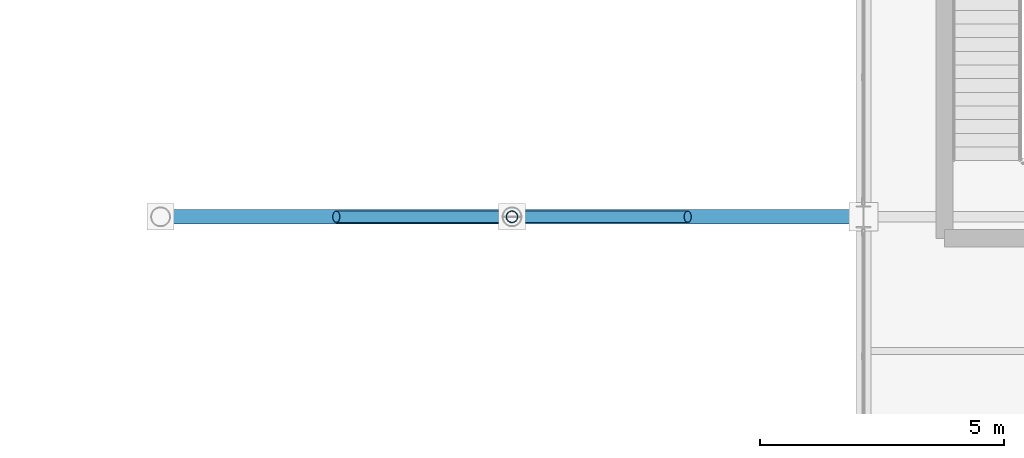
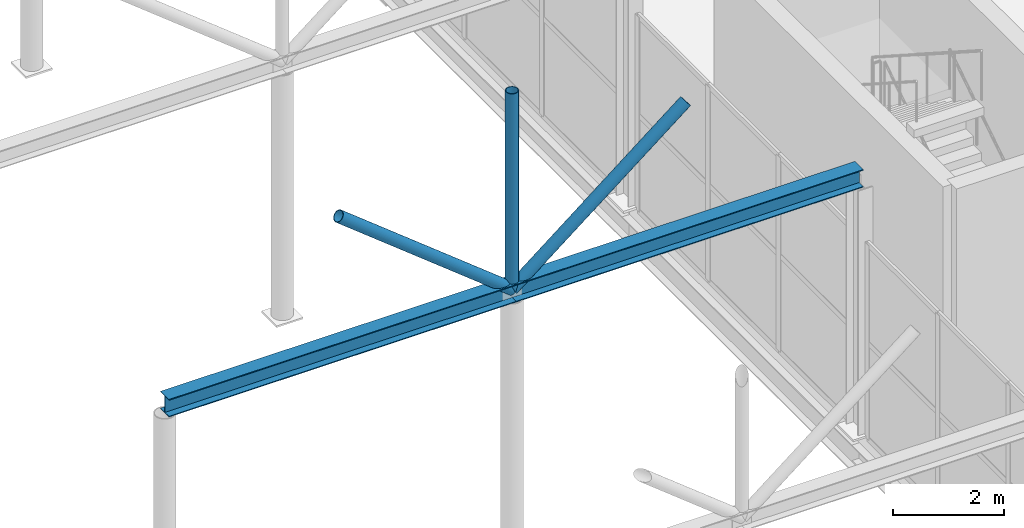
# One storey, part 25 of 147: 3 members, 2 beams.
"""IFC4 building model written with IfcOpenShell, lengths in metres."""

from ifc_helpers import new_model, si_unit, direction, frame, origin, origin_2d, place, context, subcontext, project, spatial, hollow_circle, i_section, extrude, material, material_profile, profile_set, type_object, element, save


model = new_model("IFC4")

# Units and contexts
model_context = context("Model", 3, precision=1e-05, world=origin(), true_north=direction((0.0, 1.0)))
body_context = subcontext(model_context, "Body", "Model", "MODEL_VIEW")
ifc_project = project(units=[si_unit("LENGTHUNIT", "METRE"), si_unit("AREAUNIT", "SQUARE_METRE"), si_unit("VOLUMEUNIT", "CUBIC_METRE"), si_unit("PLANEANGLEUNIT", "RADIAN"), si_unit("MASSUNIT", "GRAM", prefix="KILO")], contexts=[model_context])

# Site, building, storey
site_placement = place(None, origin())
site = spatial("IfcSite", under=ifc_project, at=site_placement, CompositionType="ELEMENT")
building_placement = place(site_placement, origin())
building = spatial("IfcBuilding", under=site, at=building_placement, Name="Sundgate Opera House", CompositionType="ELEMENT")
storey_placement = place(building_placement, frame((0.0, 0.0, 6.0)))
storey = spatial("IfcBuildingStorey", under=building, at=storey_placement, Name="L01", CompositionType="ELEMENT", Elevation=6.0)

# Beams
ifc_material_1 = material(Name="Steel S355J2", Category="steel")
ifc_material_profile_1 = material_profile(ifc_material_1, i_section(OverallWidth=0.300048828125, OverallDepth=0.389892578125, WebThickness=0.010986328125, FlangeThickness=0.01904296875, at=origin_2d()), Name="HEA 400")
ifc_profile_set_1 = profile_set([ifc_material_profile_1], Name="Steel S355J2")
beam_type = type_object("IfcBeamType", Name="BM-GR-HEA400", PredefinedType="BEAM", material=ifc_profile_set_1)
for number, where, z_axis, x_axis, name in (
    (1, (81.0, 24.75, 5.5849609375), (1.0, 0.0, 0.0), (0.0, 1.0, 0.0), "L01 Passage Arch Tie Beam B3397"),
    (2, (88.199951171875, 24.75, 5.5849609375), (1.0, 0.0, 0.0), (0.0, 1.0, 0.0), "L01 Passage Arch Tie Beam B3398"),
):
    element("IfcBeam", number, at=place(storey_placement, frame(where, z_axis=z_axis, x_axis=x_axis)), inside=storey, type_object=beam_type, Name=name, PredefinedType="BEAM", context=body_context, shape_type="SweptSolid", body=[
        extrude(i_section(OverallWidth=0.300048828125, OverallDepth=0.389892578125, WebThickness=0.010986328125, FlangeThickness=0.01904296875, at=origin_2d()), origin(), (0.0, 0.0, 1.0), 7.199951171875),
    ])

# Members
ifc_material_2 = material(Name="Steel S355J2", Category="steel")
ifc_material_profile_2 = material_profile(ifc_material_2, hollow_circle(Radius=0.122314453125, WallThickness=0.012451171875, at=origin_2d()), Name="CHS 244.5x12.5")
ifc_profile_set_2 = profile_set([ifc_material_profile_2], Name="Steel S355J2")
member_type = type_object("IfcMemberType", Name="MB-STRUT-CHS244", PredefinedType="STRUT", material=ifc_profile_set_2)
member_1_placement = place(storey_placement, frame((88.199951171875, 24.75, 5.594970703125), z_axis=(-0.78350570776, 0.0, 0.621384587762), x_axis=(0.0, -1.0, 0.0)))
element("IfcMember", 3, at=member_1_placement, inside=storey, type_object=member_type, Name="Passage Arch Spandrel Strut M0297", PredefinedType="STRUT", context=body_context, shape_type="SweptSolid", body=[
    extrude(hollow_circle(Radius=0.122314453125, WallThickness=0.012451171875, at=origin_2d()), origin(), (0.0, 0.0, 1.0), 4.594482421875),
])
member_2_placement = place(storey_placement, frame((88.199951171875, 24.75, 5.594970703125), z_axis=(0.783526223691, 0.0, 0.621358718285), x_axis=(0.0, 1.0, 0.0)))
element("IfcMember", 4, at=member_2_placement, inside=storey, type_object=member_type, Name="Passage Arch Spandrel Strut M0298", PredefinedType="STRUT", context=body_context, shape_type="SweptSolid", body=[
    extrude(hollow_circle(Radius=0.122314453125, WallThickness=0.012451171875, at=origin_2d()), origin(), (0.0, 0.0, 1.0), 4.5947265625),
])
member_3_placement = place(storey_placement, frame((88.199951171875, 24.75, 5.594970703125), z_axis=(0.0, 0.0, 1.0), x_axis=(1.0, 0.0, 0.0)))
element("IfcMember", 5, at=member_3_placement, inside=storey, type_object=member_type, Name="Passage Arch Crown Post M0299", PredefinedType="STRUT", context=body_context, shape_type="SweptSolid", body=[
    extrude(hollow_circle(Radius=0.122314453125, WallThickness=0.012451171875, at=origin_2d()), origin(), (0.0, 0.0, 1.0), 4.35498046875),
])

save(model, "model.ifc")
